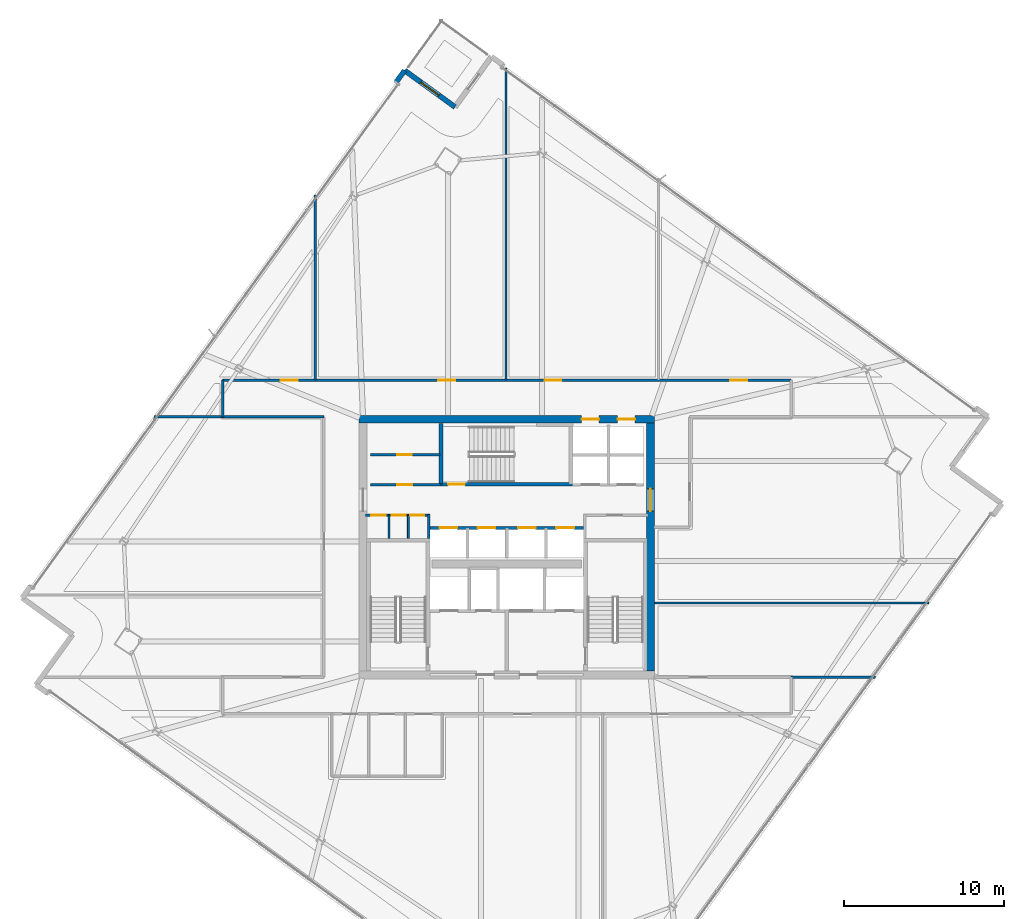
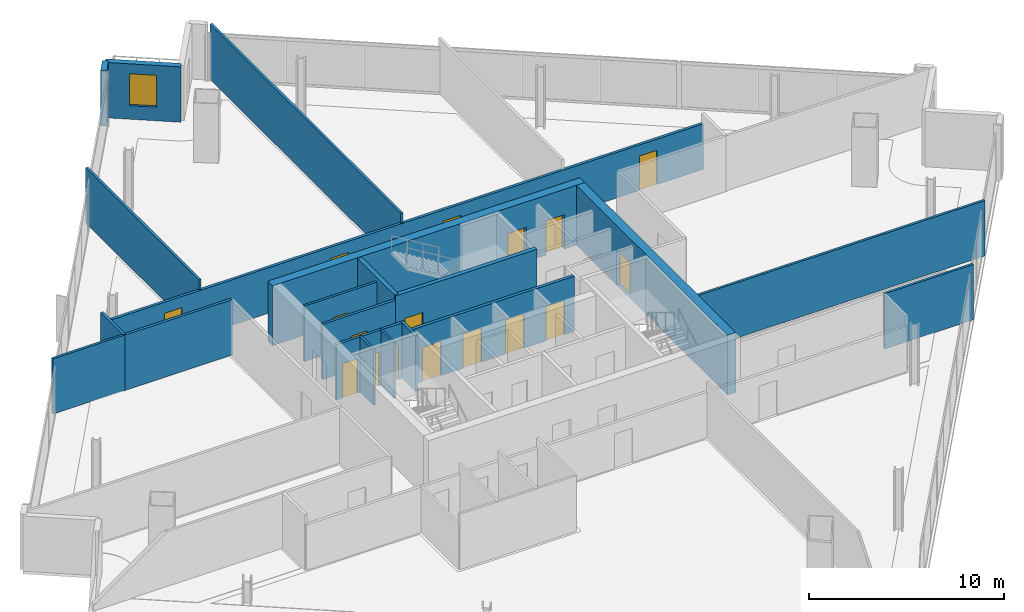
# One storey, part 23 of 29: 21 walls, 17 doors, 1 window, 18 openings.
"""IFC4 building model written with IfcOpenShell, lengths in metres."""

from ifc_helpers import new_model, si_unit, direction, frame, frame_2d, origin, place, context, subcontext, project, spatial, rectangle, extrude, material, layer, layer_set, type_object, element, fill, save


model = new_model("IFC4")

# Units and contexts
model_context = context("Model", 3, precision=1e-05, world=origin(), true_north=direction((0.0, 1.0)))
body_context = subcontext(model_context, "Body", "Model", "MODEL_VIEW")
ifc_project = project(units=[si_unit("LENGTHUNIT", "METRE"), si_unit("AREAUNIT", "SQUARE_METRE"), si_unit("VOLUMEUNIT", "CUBIC_METRE"), si_unit("PLANEANGLEUNIT", "RADIAN"), si_unit("MASSUNIT", "GRAM", prefix="KILO")], contexts=[model_context])

# Site, building, storey
site_placement = place(None, origin())
site = spatial("IfcSite", under=ifc_project, at=site_placement, CompositionType="ELEMENT")
building_placement = place(site_placement, origin())
building = spatial("IfcBuilding", under=site, at=building_placement, Name="Haldenkirk Collegiate Tower", CompositionType="ELEMENT")
storey_placement = place(building_placement, frame((0.0, 0.0, 209.699951171875)))
storey = spatial("IfcBuildingStorey", under=building, at=storey_placement, Name="L52", CompositionType="ELEMENT", Elevation=209.699951171875)

# Wall, openings, doors
ifc_material_1 = material(Name="Concrete f'c 55 MPa", Category="concrete")
ifc_layer_1 = layer(ifc_material_1, 0.5)
ifc_layer_set_1 = layer_set([ifc_layer_1], Name="Concrete f'c 55 MPa")
wall_type_1 = type_object("IfcWallType", Name="WL-CORE-500", PredefinedType="SHEAR", material=ifc_layer_set_1)
wall_1_placement = place(storey_placement, frame((26.75, 34.0, 0.0), z_axis=(0.0, 0.0, 1.0), x_axis=(1.0, 0.0, 0.0)))
wall_1 = element("IfcWall", 1, at=wall_1_placement, inside=storey, type_object=wall_type_1, Name="L52 central core shear wall N", PredefinedType="SHEAR", context=body_context, shape_type="SweptSolid", body=[
    extrude(rectangle(XDim=18.5, YDim=0.5, at=frame_2d((9.25, 0.0))), origin(), (0.0, 0.0, 1.0), 3.75),
])
opening_1_placement = place(wall_1_placement, frame((13.93505859375, 0.0, 0.0)))
opening_1 = element("IfcOpeningElement", 2, at=opening_1_placement, cuts=wall_1, Name="Opening LD-11", PredefinedType="OPENING", context=body_context, shape_type="SweptSolid", body=[
    extrude(rectangle(XDim=1.10009765625, YDim=2.14990234375, at=frame_2d((0.550048828125, 1.074951171875))), frame((0.0, 0.260009765625, 0.0), z_axis=(0.0, -1.0, 0.0), x_axis=(1.0, 0.0, 0.0)), (0.0, 0.0, 1.0), 0.52001953125),
])
opening_2_placement = place(wall_1_placement, frame((16.18505859375, 0.0, 0.0)))
opening_2 = element("IfcOpeningElement", 3, at=opening_2_placement, cuts=wall_1, Name="Opening LD-11", PredefinedType="OPENING", context=body_context, shape_type="SweptSolid", body=[
    extrude(rectangle(XDim=1.10009765625, YDim=2.14990234375, at=frame_2d((0.550048828125, 1.074951171875))), frame((0.0, 0.260009765625, 0.0), z_axis=(0.0, -1.0, 0.0), x_axis=(1.0, 0.0, 0.0)), (0.0, 0.0, 1.0), 0.52001953125),
])
ifc_material_2 = material(Name="Brushed architectural stainless steel", Category="steel")
ifc_layer_2 = layer(ifc_material_2, 0.06005859375)
ifc_layer_set_2 = layer_set([ifc_layer_2], Name="Brushed architectural stainless steel")
door_type_1 = type_object("IfcDoorType", Name="LD-PASS-1100", OperationType="NOTDEFINED", PredefinedType="DOOR", material=ifc_layer_set_2)
door_1_placement = place(opening_1_placement, origin())
door_1 = element("IfcDoor", 4, at=door_1_placement, inside=storey, type_object=door_type_1, Name="L52 Elevator PM3 sliding landing door", OperationType="SLIDING_TO_LEFT", OverallHeight=2.14990234375, OverallWidth=1.10009765625, PredefinedType="DOOR", context=body_context, shape_type="SweptSolid", body=[
    extrude(rectangle(XDim=1.10009765625, YDim=2.14990234375, at=frame_2d((0.550048828125, 1.074951171875))), frame((0.0, 0.02490234375, 0.0), z_axis=(0.0, -1.0, 0.0), x_axis=(1.0, 0.0, 0.0)), (0.0, 0.0, 1.0), 0.050048828125),
])
fill(opening_1, door_1)
door_2_placement = place(opening_2_placement, origin())
door_2 = element("IfcDoor", 5, at=door_2_placement, inside=storey, type_object=door_type_1, Name="L52 Elevator PM4 sliding landing door", OperationType="SLIDING_TO_LEFT", OverallHeight=2.14990234375, OverallWidth=1.10009765625, PredefinedType="DOOR", context=body_context, shape_type="SweptSolid", body=[
    extrude(rectangle(XDim=1.10009765625, YDim=2.14990234375, at=frame_2d((0.550048828125, 1.074951171875))), frame((0.0, 0.02490234375, 0.0), z_axis=(0.0, -1.0, 0.0), x_axis=(1.0, 0.0, 0.0)), (0.0, 0.0, 1.0), 0.050048828125),
])
fill(opening_2, door_2)

# Wall, opening, door
wall_2_placement = place(storey_placement, frame((45.0, 18.25, 0.0), z_axis=(0.0, 0.0, 1.0), x_axis=(0.0, 1.0, 0.0)))
wall_2 = element("IfcWall", 6, at=wall_2_placement, inside=storey, type_object=wall_type_1, Name="L52 central core shear wall E", PredefinedType="SHEAR", context=body_context, shape_type="SweptSolid", body=[
    extrude(rectangle(XDim=15.5, YDim=0.5, at=frame_2d((7.75, 0.0))), origin(), (0.0, 0.0, 1.0), 3.75),
])
opening_3_placement = place(wall_2_placement, frame((9.989990234375, 0.0, 0.0)))
opening_3 = element("IfcOpeningElement", 7, at=opening_3_placement, cuts=wall_2, Name="Opening D-03", PredefinedType="OPENING", context=body_context, shape_type="SweptSolid", body=[
    extrude(rectangle(XDim=1.39990234375, YDim=2.199951171875, at=frame_2d((0.699951171875, 1.10009765625))), frame((0.0, 0.260009765625, 0.0), z_axis=(0.0, -1.0, 0.0), x_axis=(1.0, 0.0, 0.0)), (0.0, 0.0, 1.0), 0.52001953125),
])
ifc_material_3 = material(Name="Galvanized fire-rated hollow steel door", Category="steel")
ifc_layer_3 = layer(ifc_material_3, 0.06005859375)
ifc_layer_set_3 = layer_set([ifc_layer_3], Name="Galvanized fire-rated hollow steel door")
door_type_2 = type_object("IfcDoorType", Name="DR-LOBBY-FD90-1400", OperationType="NOTDEFINED", PredefinedType="DOOR", material=ifc_layer_set_3)
door_3_placement = place(opening_3_placement, origin())
door_3 = element("IfcDoor", 8, at=door_3_placement, inside=storey, type_object=door_type_2, Name="L52 east lift lobby portal", OperationType="DOUBLE_DOOR_SINGLE_SWING", OverallHeight=2.199951171875, OverallWidth=1.39990234375, PredefinedType="DOOR", context=body_context, shape_type="SweptSolid", body=[
    extrude(rectangle(XDim=1.39990234375, YDim=2.199951171875, at=frame_2d((0.699951171875, 1.10009765625))), frame((0.0, 0.02490234375, 0.0), z_axis=(0.0, -1.0, 0.0), x_axis=(1.0, 0.0, 0.0)), (0.0, 0.0, 1.0), 0.050048828125),
])
fill(opening_3, door_3)

# Wall, opening, window
ifc_material_4 = material(Name="Precast concrete f'c 40 MPa", Category="concrete")
ifc_layer_4 = layer(ifc_material_4, 0.320068359375)
ifc_layer_set_4 = layer_set([ifc_layer_4], Name="Precast concrete f'c 40 MPa")
wall_type_2 = type_object("IfcWallType", Name="WL-EXT-TWR-320", PredefinedType="STANDARD", material=ifc_layer_set_4)
wall_3_placement = place(storey_placement, frame((29.60009765625, 55.841064453125, 0.0), z_axis=(0.0, 0.0, 1.0), x_axis=(0.809542016527, -0.587061941772, 0.0)))
wall_3 = element("IfcWall", 9, at=wall_3_placement, inside=storey, type_object=wall_type_2, Name="L52 bronze precast notch wall 06", PredefinedType="STANDARD", context=body_context, shape_type="SweptSolid", body=[
    extrude(rectangle(XDim=3.89990234375, YDim=0.320068359375, at=frame_2d((1.949951171875, 0.0))), origin(), (0.0, 0.0, 1.0), 3.469970703125),
])
opening_4_placement = place(wall_3_placement, frame((1.25, 0.0, 0.85009765625)))
opening_4 = element("IfcOpeningElement", 10, at=opening_4_placement, cuts=wall_3, Name="Opening W-06", PredefinedType="OPENING", context=body_context, shape_type="SweptSolid", body=[
    extrude(rectangle(XDim=1.39990234375, YDim=2.0, at=frame_2d((0.699951171875, 1.0))), frame((0.0, 0.169921875, 0.0), z_axis=(0.0, -1.0, 0.0), x_axis=(1.0, 0.0, 0.0)), (0.0, 0.0, 1.0), 0.340087890625),
])
ifc_material_5 = material(Name="Low-E argon triple insulating glass", Category="glass")
ifc_layer_5 = layer(ifc_material_5, 0.090087890625)
ifc_layer_set_5 = layer_set([ifc_layer_5], Name="Low-E argon triple insulating glass")
window_type = type_object("IfcWindowType", Name="WN-Z4-1400X2000", PartitioningType="SINGLE_PANEL", PredefinedType="WINDOW", material=ifc_layer_set_5)
window_placement = place(opening_4_placement, origin())
window = element("IfcWindow", 11, at=window_placement, inside=storey, type_object=window_type, Name="L52 precast-frame academic window 5", OverallHeight=2.0, OverallWidth=1.39990234375, PartitioningType="SINGLE_PANEL", PredefinedType="WINDOW", context=body_context, shape_type="SweptSolid", body=[
    extrude(rectangle(XDim=1.39990234375, YDim=2.0, at=frame_2d((0.699951171875, 1.0))), frame((0.0, 0.030029296875, 0.0), z_axis=(0.0, -1.0, 0.0), x_axis=(1.0, 0.0, 0.0)), (0.0, 0.0, 1.0), 0.06005859375),
])
fill(opening_4, window)

# Wall
wall_4_placement = place(storey_placement, frame((29.07177734375, 55.112548828125, 0.0), z_axis=(0.0, 0.0, 1.0), x_axis=(0.587074260177, 0.80953308335, 0.0)))
element("IfcWall", 12, at=wall_4_placement, inside=storey, type_object=wall_type_2, Name="L52 precast corner pier NR", PredefinedType="STANDARD", context=body_context, shape_type="SweptSolid", body=[
    extrude(rectangle(XDim=0.89990234375, YDim=0.320068359375, at=frame_2d((0.449951171875, 0.0))), origin(), (0.0, 0.0, 1.0), 3.469970703125),
])

# Wall, openings, doors
ifc_material_6 = material(Name="Acoustic fire-rated gypsum partition", Category="concrete")
ifc_layer_6 = layer(ifc_material_6, 0.159912109375)
ifc_layer_set_6 = layer_set([ifc_layer_6], Name="Acoustic fire-rated gypsum partition")
wall_type_3 = type_object("IfcWallType", Name="WL-INT-CORR-160", PredefinedType="PARTITIONING", material=ifc_layer_set_6)
wall_5_placement = place(storey_placement, frame((27.14990234375, 27.97998046875, 0.0), z_axis=(0.0, 0.0, 1.0), x_axis=(1.0, 0.0, 0.0)))
wall_5 = element("IfcWall", 13, at=wall_5_placement, inside=storey, type_object=wall_type_3, Name="L52 interior partition IW-L52-VCSW-N", PredefinedType="PARTITIONING", context=body_context, shape_type="SweptSolid", body=[
    extrude(rectangle(XDim=4.050048828125, YDim=0.159912109375, at=frame_2d((2.02490234375, 0.0))), origin(), (0.0, 0.0, 1.0), 3.469970703125),
])
opening_5_placement = place(wall_5_placement, frame((0.360107421875, 0.0, 0.0)))
opening_5 = element("IfcOpeningElement", 14, at=opening_5_placement, cuts=wall_5, Name="Opening D-11", PredefinedType="OPENING", context=body_context, shape_type="SweptSolid", body=[
    extrude(rectangle(XDim=0.89990234375, YDim=2.14990234375, at=frame_2d((0.449951171875, 1.074951171875))), frame((0.0, 0.08984375, 0.0), z_axis=(0.0, -1.0, 0.0), x_axis=(1.0, 0.0, 0.0)), (0.0, 0.0, 1.0), 0.179931640625),
])
opening_6_placement = place(wall_5_placement, frame((1.6298828125, 0.0, 0.0)))
opening_6 = element("IfcOpeningElement", 15, at=opening_6_placement, cuts=wall_5, Name="Opening D-11", PredefinedType="OPENING", context=body_context, shape_type="SweptSolid", body=[
    extrude(rectangle(XDim=0.89990234375, YDim=2.14990234375, at=frame_2d((0.449951171875, 1.074951171875))), frame((0.0, 0.08984375, 0.0), z_axis=(0.0, -1.0, 0.0), x_axis=(1.0, 0.0, 0.0)), (0.0, 0.0, 1.0), 0.179931640625),
])
opening_7_placement = place(wall_5_placement, frame((2.78759765625, 0.0, 0.0)))
opening_7 = element("IfcOpeningElement", 16, at=opening_7_placement, cuts=wall_5, Name="Opening D-11", PredefinedType="OPENING", context=body_context, shape_type="SweptSolid", body=[
    extrude(rectangle(XDim=0.89990234375, YDim=2.14990234375, at=frame_2d((0.449951171875, 1.074951171875))), frame((0.0, 0.08984375, 0.0), z_axis=(0.0, -1.0, 0.0), x_axis=(1.0, 0.0, 0.0)), (0.0, 0.0, 1.0), 0.179931640625),
])
ifc_material_7 = material(Name="Solid-core architectural oak fire door", Category="wood")
ifc_layer_7 = layer(ifc_material_7, 0.06005859375)
ifc_layer_set_7 = layer_set([ifc_layer_7], Name="Solid-core architectural oak fire door")
door_type_3 = type_object("IfcDoorType", Name="DR-INT-FD60-900", OperationType="NOTDEFINED", PredefinedType="DOOR", material=ifc_layer_set_7)
door_4_placement = place(opening_5_placement, origin())
door_4 = element("IfcDoor", 17, at=door_4_placement, inside=storey, type_object=door_type_3, Name="L52 core study booth door", OperationType="SINGLE_SWING_LEFT", OverallHeight=2.14990234375, OverallWidth=0.89990234375, PredefinedType="DOOR", context=body_context, shape_type="SweptSolid", body=[
    extrude(rectangle(XDim=0.89990234375, YDim=2.14990234375, at=frame_2d((0.449951171875, 1.074951171875))), frame((0.0, 0.02490234375, 0.0), z_axis=(0.0, -1.0, 0.0), x_axis=(1.0, 0.0, 0.0)), (0.0, 0.0, 1.0), 0.050048828125),
])
fill(opening_5, door_4)
door_5_placement = place(opening_6_placement, origin())
door_5 = element("IfcDoor", 18, at=door_5_placement, inside=storey, type_object=door_type_3, Name="L52 core cleaners door", OperationType="SINGLE_SWING_RIGHT", OverallHeight=2.14990234375, OverallWidth=0.89990234375, PredefinedType="DOOR", context=body_context, shape_type="SweptSolid", body=[
    extrude(rectangle(XDim=0.89990234375, YDim=2.14990234375, at=frame_2d((0.449951171875, 1.074951171875))), frame((0.0, 0.02490234375, 0.0), z_axis=(0.0, -1.0, 0.0), x_axis=(1.0, 0.0, 0.0)), (0.0, 0.0, 1.0), 0.050048828125),
])
fill(opening_6, door_5)
door_6_placement = place(opening_7_placement, origin())
door_6 = element("IfcDoor", 19, at=door_6_placement, inside=storey, type_object=door_type_3, Name="L52 core stationery door", OperationType="SINGLE_SWING_LEFT", OverallHeight=2.14990234375, OverallWidth=0.89990234375, PredefinedType="DOOR", context=body_context, shape_type="SweptSolid", body=[
    extrude(rectangle(XDim=0.89990234375, YDim=2.14990234375, at=frame_2d((0.449951171875, 1.074951171875))), frame((0.0, 0.02490234375, 0.0), z_axis=(0.0, -1.0, 0.0), x_axis=(1.0, 0.0, 0.0)), (0.0, 0.0, 1.0), 0.050048828125),
])
fill(opening_7, door_6)

# Wall
wall_6_placement = place(storey_placement, frame((31.1201171875, 26.5400390625, 0.0), z_axis=(0.0, 0.0, 1.0), x_axis=(0.0, 1.0, 0.0)))
element("IfcWall", 20, at=wall_6_placement, inside=storey, type_object=wall_type_3, Name="L52 interior partition IW-L52-VCSW-E", PredefinedType="PARTITIONING", context=body_context, shape_type="SweptSolid", body=[
    extrude(rectangle(XDim=1.510009765625, YDim=0.159912109375, at=frame_2d((0.7548828125, 0.0))), origin(), (0.0, 0.0, 1.0), 3.469970703125),
])

# Wall, opening, door
wall_7_placement = place(storey_placement, frame((27.449951171875, 29.89990234375, 0.0), z_axis=(0.0, 0.0, 1.0), x_axis=(1.0, 0.0, 0.0)))
wall_7 = element("IfcWall", 21, at=wall_7_placement, inside=storey, type_object=wall_type_3, Name="L52 interior partition IW-L52-PLS", PredefinedType="PARTITIONING", context=body_context, shape_type="SweptSolid", body=[
    extrude(rectangle(XDim=4.429931640625, YDim=0.159912109375, at=frame_2d((2.21484375, 0.0))), origin(), (0.0, 0.0, 1.0), 3.469970703125),
])
opening_8_placement = place(wall_7_placement, frame((1.675048828125, 0.0, 0.0)))
opening_8 = element("IfcOpeningElement", 22, at=opening_8_placement, cuts=wall_7, Name="Opening D-10", PredefinedType="OPENING", context=body_context, shape_type="SweptSolid", body=[
    extrude(rectangle(XDim=0.949951171875, YDim=2.14990234375, at=frame_2d((0.47509765625, 1.074951171875))), frame((0.0, 0.08984375, 0.0), z_axis=(0.0, -1.0, 0.0), x_axis=(1.0, 0.0, 0.0)), (0.0, 0.0, 1.0), 0.179931640625),
])
ifc_layer_8 = layer(ifc_material_7, 0.06005859375)
ifc_layer_set_8 = layer_set([ifc_layer_8], Name="Solid-core architectural oak fire door")
door_type_4 = type_object("IfcDoorType", Name="DR-INT-FD60-950", OperationType="NOTDEFINED", PredefinedType="DOOR", material=ifc_layer_set_8)
door_7_placement = place(opening_8_placement, origin())
door_7 = element("IfcDoor", 23, at=door_7_placement, inside=storey, type_object=door_type_4, Name="L52 consultation door", OperationType="SINGLE_SWING_LEFT", OverallHeight=2.14990234375, OverallWidth=0.949951171875, PredefinedType="DOOR", context=body_context, shape_type="SweptSolid", body=[
    extrude(rectangle(XDim=0.949951171875, YDim=2.14990234375, at=frame_2d((0.47509765625, 1.074951171875))), frame((0.0, 0.02490234375, 0.0), z_axis=(0.0, -1.0, 0.0), x_axis=(1.0, 0.0, 0.0)), (0.0, 0.0, 1.0), 0.050048828125),
])
fill(opening_8, door_7)

# Wall, openings, doors
wall_8_placement = place(storey_placement, frame((18.199951171875, 36.449951171875, 0.0), z_axis=(0.0, 0.0, 1.0), x_axis=(1.0, 0.0, 0.0)))
wall_8 = element("IfcWall", 24, at=wall_8_placement, inside=storey, type_object=wall_type_3, Name="L52 interior partition IW-L52-CN", PredefinedType="PARTITIONING", context=body_context, shape_type="SweptSolid", body=[
    extrude(rectangle(XDim=35.60009765625, YDim=0.159912109375, at=frame_2d((17.800048828125, 0.0))), origin(), (0.0, 0.0, 1.0), 2.84912109375),
])
opening_9_placement = place(wall_8_placement, frame((3.64501953125, 0.0, 0.0)))
opening_9 = element("IfcOpeningElement", 25, at=opening_9_placement, cuts=wall_8, Name="Opening D-09", PredefinedType="OPENING", context=body_context, shape_type="SweptSolid", body=[
    extrude(rectangle(XDim=1.050048828125, YDim=2.14990234375, at=frame_2d((0.52490234375, 1.074951171875))), frame((0.0, 0.08984375, 0.0), z_axis=(0.0, -1.0, 0.0), x_axis=(1.0, 0.0, 0.0)), (0.0, 0.0, 1.0), 0.179931640625),
])
opening_10_placement = place(wall_8_placement, frame((13.52099609375, 0.0, 0.0)))
opening_10 = element("IfcOpeningElement", 26, at=opening_10_placement, cuts=wall_8, Name="Opening D-09", PredefinedType="OPENING", context=body_context, shape_type="SweptSolid", body=[
    extrude(rectangle(XDim=1.050048828125, YDim=2.14990234375, at=frame_2d((0.52490234375, 1.074951171875))), frame((0.0, 0.08984375, 0.0), z_axis=(0.0, -1.0, 0.0), x_axis=(1.0, 0.0, 0.0)), (0.0, 0.0, 1.0), 0.179931640625),
])
opening_11_placement = place(wall_8_placement, frame((20.160888671875, 0.0, 0.0)))
opening_11 = element("IfcOpeningElement", 27, at=opening_11_placement, cuts=wall_8, Name="Opening D-09", PredefinedType="OPENING", context=body_context, shape_type="SweptSolid", body=[
    extrude(rectangle(XDim=1.050048828125, YDim=2.14990234375, at=frame_2d((0.52490234375, 1.074951171875))), frame((0.0, 0.08984375, 0.0), z_axis=(0.0, -1.0, 0.0), x_axis=(1.0, 0.0, 0.0)), (0.0, 0.0, 1.0), 0.179931640625),
])
opening_12_placement = place(wall_8_placement, frame((31.794921875, 0.0, 0.0)))
opening_12 = element("IfcOpeningElement", 28, at=opening_12_placement, cuts=wall_8, Name="Opening D-09", PredefinedType="OPENING", context=body_context, shape_type="SweptSolid", body=[
    extrude(rectangle(XDim=1.050048828125, YDim=2.14990234375, at=frame_2d((0.52490234375, 1.074951171875))), frame((0.0, 0.08984375, 0.0), z_axis=(0.0, -1.0, 0.0), x_axis=(1.0, 0.0, 0.0)), (0.0, 0.0, 1.0), 0.179931640625),
])
ifc_layer_9 = layer(ifc_material_7, 0.06005859375)
ifc_layer_set_9 = layer_set([ifc_layer_9], Name="Solid-core architectural oak fire door")
door_type_5 = type_object("IfcDoorType", Name="DR-INT-FD60-1050", OperationType="NOTDEFINED", PredefinedType="DOOR", material=ifc_layer_set_9)
door_8_placement = place(opening_9_placement, origin())
door_8 = element("IfcDoor", 29, at=door_8_placement, inside=storey, type_object=door_type_5, Name="L52 Treaty Archive Store 3 door", OperationType="SINGLE_SWING_RIGHT", OverallHeight=2.14990234375, OverallWidth=1.050048828125, PredefinedType="DOOR", context=body_context, shape_type="SweptSolid", body=[
    extrude(rectangle(XDim=1.050048828125, YDim=2.14990234375, at=frame_2d((0.52490234375, 1.074951171875))), frame((0.0, 0.02490234375, 0.0), z_axis=(0.0, -1.0, 0.0), x_axis=(1.0, 0.0, 0.0)), (0.0, 0.0, 1.0), 0.050048828125),
])
fill(opening_9, door_8)
door_9_placement = place(opening_10_placement, origin())
door_9 = element("IfcDoor", 30, at=door_9_placement, inside=storey, type_object=door_type_5, Name="L52 Student Reading Lounge 4 door", OperationType="SINGLE_SWING_LEFT", OverallHeight=2.14990234375, OverallWidth=1.050048828125, PredefinedType="DOOR", context=body_context, shape_type="SweptSolid", body=[
    extrude(rectangle(XDim=1.050048828125, YDim=2.14990234375, at=frame_2d((0.52490234375, 1.074951171875))), frame((0.0, 0.02490234375, 0.0), z_axis=(0.0, -1.0, 0.0), x_axis=(1.0, 0.0, 0.0)), (0.0, 0.0, 1.0), 0.050048828125),
])
fill(opening_10, door_9)
door_10_placement = place(opening_11_placement, origin())
door_10 = element("IfcDoor", 31, at=door_10_placement, inside=storey, type_object=door_type_5, Name="L52 Reading Commons Lounge 5 door", OperationType="SINGLE_SWING_RIGHT", OverallHeight=2.14990234375, OverallWidth=1.050048828125, PredefinedType="DOOR", context=body_context, shape_type="SweptSolid", body=[
    extrude(rectangle(XDim=1.050048828125, YDim=2.14990234375, at=frame_2d((0.52490234375, 1.074951171875))), frame((0.0, 0.02490234375, 0.0), z_axis=(0.0, -1.0, 0.0), x_axis=(1.0, 0.0, 0.0)), (0.0, 0.0, 1.0), 0.050048828125),
])
fill(opening_11, door_10)
door_11_placement = place(opening_12_placement, origin())
door_11 = element("IfcDoor", 32, at=door_11_placement, inside=storey, type_object=door_type_5, Name="L52 Periodical Reading Lounge 6 door", OperationType="SINGLE_SWING_LEFT", OverallHeight=2.14990234375, OverallWidth=1.050048828125, PredefinedType="DOOR", context=body_context, shape_type="SweptSolid", body=[
    extrude(rectangle(XDim=1.050048828125, YDim=2.14990234375, at=frame_2d((0.52490234375, 1.074951171875))), frame((0.0, 0.02490234375, 0.0), z_axis=(0.0, -1.0, 0.0), x_axis=(1.0, 0.0, 0.0)), (0.0, 0.0, 1.0), 0.050048828125),
])
fill(opening_12, door_11)

# Walls
wall_9_placement = place(storey_placement, frame((18.199951171875, 34.14990234375, 0.0), z_axis=(0.0, 0.0, 1.0), x_axis=(1.0, 0.0, 0.0)))
element("IfcWall", 33, at=wall_9_placement, inside=storey, type_object=wall_type_3, Name="L52 interior partition IW-L52-CNW", PredefinedType="PARTITIONING", context=body_context, shape_type="SweptSolid", body=[
    extrude(rectangle(XDim=6.35009765625, YDim=0.159912109375, at=frame_2d((3.175048828125, 0.0))), origin(), (0.0, 0.0, 1.0), 3.469970703125),
])
wall_10_placement = place(storey_placement, frame((18.199951171875, 34.14990234375, 0.0), z_axis=(0.0, 0.0, 1.0), x_axis=(0.0, 1.0, 0.0)))
element("IfcWall", 34, at=wall_10_placement, inside=storey, type_object=wall_type_3, Name="L52 interior partition IW-L52-CNL", PredefinedType="PARTITIONING", context=body_context, shape_type="SweptSolid", body=[
    extrude(rectangle(XDim=2.300048828125, YDim=0.159912109375, at=frame_2d((1.14990234375, 0.0))), origin(), (0.0, 0.0, 1.0), 3.469970703125),
])

# Wall, opening, door
ifc_layer_10 = layer(ifc_material_6, 0.139892578125)
ifc_layer_set_10 = layer_set([ifc_layer_10], Name="Acoustic fire-rated gypsum partition")
wall_type_4 = type_object("IfcWallType", Name="WL-INT-DIV-140", PredefinedType="PARTITIONING", material=ifc_layer_set_10)
wall_11_placement = place(storey_placement, frame((27.449951171875, 31.780029296875, 0.0), z_axis=(0.0, 0.0, 1.0), x_axis=(1.0, 0.0, 0.0)))
wall_11 = element("IfcWall", 35, at=wall_11_placement, inside=storey, type_object=wall_type_4, Name="L52 interior partition IW-L52-PLDIVH", PredefinedType="PARTITIONING", context=body_context, shape_type="SweptSolid", body=[
    extrude(rectangle(XDim=4.35009765625, YDim=0.139892578125, at=frame_2d((2.175048828125, 0.0))), origin(), (0.0, 0.0, 1.0), 3.469970703125),
])
opening_13_placement = place(wall_11_placement, frame((1.699951171875, 0.0, 0.0)))
opening_13 = element("IfcOpeningElement", 36, at=opening_13_placement, cuts=wall_11, Name="Opening D-13", PredefinedType="OPENING", context=body_context, shape_type="SweptSolid", body=[
    extrude(rectangle(XDim=0.89990234375, YDim=2.14990234375, at=frame_2d((0.449951171875, 1.074951171875))), frame((0.0, 0.079833984375, 0.0), z_axis=(0.0, -1.0, 0.0), x_axis=(1.0, 0.0, 0.0)), (0.0, 0.0, 1.0), 0.159912109375),
])
ifc_layer_11 = layer(ifc_material_7, 0.06005859375)
ifc_layer_set_11 = layer_set([ifc_layer_11], Name="Solid-core architectural oak fire door")
door_type_6 = type_object("IfcDoorType", Name="DR-INT-STD-900", OperationType="NOTDEFINED", PredefinedType="DOOR", material=ifc_layer_set_11)
door_12_placement = place(opening_13_placement, origin())
door_12 = element("IfcDoor", 37, at=door_12_placement, inside=storey, type_object=door_type_6, Name="L52 folio vault door", OperationType="SINGLE_SWING_RIGHT", OverallHeight=2.14990234375, OverallWidth=0.89990234375, PredefinedType="DOOR", context=body_context, shape_type="SweptSolid", body=[
    extrude(rectangle(XDim=0.89990234375, YDim=2.14990234375, at=frame_2d((0.449951171875, 1.074951171875))), frame((0.0, 0.02490234375, 0.0), z_axis=(0.0, -1.0, 0.0), x_axis=(1.0, 0.0, 0.0)), (0.0, 0.0, 1.0), 0.050048828125),
])
fill(opening_13, door_12)

# Walls
wall_12_placement = place(storey_placement, frame((13.9189453125, 34.14990234375, 0.0), z_axis=(0.0, 0.0, 1.0), x_axis=(1.0, 0.0, 0.0)))
element("IfcWall", 38, at=wall_12_placement, inside=storey, type_object=wall_type_4, Name="L52 interior partition IW-L52-BWN", PredefinedType="PARTITIONING", context=body_context, shape_type="SweptSolid", body=[
    extrude(rectangle(XDim=4.281005859375, YDim=0.139892578125, at=frame_2d((2.140625, 0.0))), origin(), (0.0, 0.0, 1.0), 3.469970703125),
])
wall_13_placement = place(storey_placement, frame((53.800048828125, 17.85009765625, 0.0), z_axis=(0.0, 0.0, 1.0), x_axis=(1.0, 0.0, 0.0)))
element("IfcWall", 39, at=wall_13_placement, inside=storey, type_object=wall_type_4, Name="L52 interior partition IW-L52-BES", PredefinedType="PARTITIONING", context=body_context, shape_type="SweptSolid", body=[
    extrude(rectangle(XDim=5.269287109375, YDim=0.139892578125, at=frame_2d((2.634765625, 0.0))), origin(), (0.0, 0.0, 1.0), 3.469970703125),
])
wall_14_placement = place(storey_placement, frame((24.0, 36.449951171875, 0.0), z_axis=(0.0, 0.0, 1.0), x_axis=(0.0, 1.0, 0.0)))
element("IfcWall", 40, at=wall_14_placement, inside=storey, type_object=wall_type_4, Name="L52 interior partition IW-L52-RN1", PredefinedType="PARTITIONING", context=body_context, shape_type="SweptSolid", body=[
    extrude(rectangle(XDim=11.600830078125, YDim=0.139892578125, at=frame_2d((5.80029296875, 0.0))), origin(), (0.0, 0.0, 1.0), 3.469970703125),
])
wall_15_placement = place(storey_placement, frame((35.949951171875, 36.449951171875, 0.0), z_axis=(0.0, 0.0, 1.0), x_axis=(0.0, 1.0, 0.0)))
element("IfcWall", 41, at=wall_15_placement, inside=storey, type_object=wall_type_4, Name="L52 interior partition IW-L52-RN2", PredefinedType="PARTITIONING", context=body_context, shape_type="SweptSolid", body=[
    extrude(rectangle(XDim=19.554443359375, YDim=0.139892578125, at=frame_2d((9.77734375, 0.0))), origin(), (0.0, 0.0, 1.0), 3.469970703125),
])
wall_16_placement = place(storey_placement, frame((45.25, 22.5, 0.0), z_axis=(0.0, 0.0, 1.0), x_axis=(1.0, 0.0, 0.0)))
element("IfcWall", 42, at=wall_16_placement, inside=storey, type_object=wall_type_4, Name="L52 interior partition IW-L52-RE1", PredefinedType="PARTITIONING", context=body_context, shape_type="SweptSolid", body=[
    extrude(rectangle(XDim=17.191650390625, YDim=0.139892578125, at=frame_2d((8.595703125, 0.0))), origin(), (0.0, 0.0, 1.0), 3.469970703125),
])

# Wall, openings, doors
ifc_material_8 = material(Name="Fire-rated gypsum shaftboard assembly", Category="concrete")
ifc_layer_12 = layer(ifc_material_8, 0.179931640625)
ifc_layer_set_12 = layer_set([ifc_layer_12], Name="Fire-rated gypsum shaftboard assembly")
wall_type_5 = type_object("IfcWallType", Name="WL-INT-SHAFT-180", PredefinedType="PARTITIONING", material=ifc_layer_set_12)
wall_17_placement = place(storey_placement, frame((31.199951171875, 27.199951171875, 0.0), z_axis=(0.0, 0.0, 1.0), x_axis=(1.0, 0.0, 0.0)))
wall_17 = element("IfcWall", 43, at=wall_17_placement, inside=storey, type_object=wall_type_5, Name="L52 interior partition IW-L52-PHN", PredefinedType="PARTITIONING", context=body_context, shape_type="SweptSolid", body=[
    extrude(rectangle(XDim=9.60009765625, YDim=0.179931640625, at=frame_2d((4.800048828125, 0.0))), origin(), (0.0, 0.0, 1.0), 3.469970703125),
])
opening_14_placement = place(wall_17_placement, frame((0.590087890625, 0.0, 0.0)))
opening_14 = element("IfcOpeningElement", 44, at=opening_14_placement, cuts=wall_17, Name="Opening LD-11", PredefinedType="OPENING", context=body_context, shape_type="SweptSolid", body=[
    extrude(rectangle(XDim=1.10009765625, YDim=2.14990234375, at=frame_2d((0.550048828125, 1.074951171875))), frame((0.0, 0.099853515625, 0.0), z_axis=(0.0, -1.0, 0.0), x_axis=(1.0, 0.0, 0.0)), (0.0, 0.0, 1.0), 0.199951171875),
])
opening_15_placement = place(wall_17_placement, frame((2.989990234375, 0.0, 0.0)))
opening_15 = element("IfcOpeningElement", 45, at=opening_15_placement, cuts=wall_17, Name="Opening LD-11", PredefinedType="OPENING", context=body_context, shape_type="SweptSolid", body=[
    extrude(rectangle(XDim=1.10009765625, YDim=2.14990234375, at=frame_2d((0.550048828125, 1.074951171875))), frame((0.0, 0.099853515625, 0.0), z_axis=(0.0, -1.0, 0.0), x_axis=(1.0, 0.0, 0.0)), (0.0, 0.0, 1.0), 0.199951171875),
])
opening_16_placement = place(wall_17_placement, frame((5.510009765625, 0.0, 0.0)))
opening_16 = element("IfcOpeningElement", 46, at=opening_16_placement, cuts=wall_17, Name="Opening LD-11", PredefinedType="OPENING", context=body_context, shape_type="SweptSolid", body=[
    extrude(rectangle(XDim=1.10009765625, YDim=2.14990234375, at=frame_2d((0.550048828125, 1.074951171875))), frame((0.0, 0.099853515625, 0.0), z_axis=(0.0, -1.0, 0.0), x_axis=(1.0, 0.0, 0.0)), (0.0, 0.0, 1.0), 0.199951171875),
])
opening_17_placement = place(wall_17_placement, frame((7.909912109375, 0.0, 0.0)))
opening_17 = element("IfcOpeningElement", 47, at=opening_17_placement, cuts=wall_17, Name="Opening LD-11", PredefinedType="OPENING", context=body_context, shape_type="SweptSolid", body=[
    extrude(rectangle(XDim=1.10009765625, YDim=2.14990234375, at=frame_2d((0.550048828125, 1.074951171875))), frame((0.0, 0.099853515625, 0.0), z_axis=(0.0, -1.0, 0.0), x_axis=(1.0, 0.0, 0.0)), (0.0, 0.0, 1.0), 0.199951171875),
])
door_13_placement = place(opening_14_placement, origin())
door_13 = element("IfcDoor", 48, at=door_13_placement, inside=storey, type_object=door_type_1, Name="L52 Elevator PH1 sliding landing door", OperationType="SLIDING_TO_LEFT", OverallHeight=2.14990234375, OverallWidth=1.10009765625, PredefinedType="DOOR", context=body_context, shape_type="SweptSolid", body=[
    extrude(rectangle(XDim=1.10009765625, YDim=2.14990234375, at=frame_2d((0.550048828125, 1.074951171875))), frame((0.0, 0.02490234375, 0.0), z_axis=(0.0, -1.0, 0.0), x_axis=(1.0, 0.0, 0.0)), (0.0, 0.0, 1.0), 0.050048828125),
])
fill(opening_14, door_13)
door_14_placement = place(opening_15_placement, origin())
door_14 = element("IfcDoor", 49, at=door_14_placement, inside=storey, type_object=door_type_1, Name="L52 Elevator PH2 sliding landing door", OperationType="SLIDING_TO_LEFT", OverallHeight=2.14990234375, OverallWidth=1.10009765625, PredefinedType="DOOR", context=body_context, shape_type="SweptSolid", body=[
    extrude(rectangle(XDim=1.10009765625, YDim=2.14990234375, at=frame_2d((0.550048828125, 1.074951171875))), frame((0.0, 0.02490234375, 0.0), z_axis=(0.0, -1.0, 0.0), x_axis=(1.0, 0.0, 0.0)), (0.0, 0.0, 1.0), 0.050048828125),
])
fill(opening_15, door_14)
door_15_placement = place(opening_16_placement, origin())
door_15 = element("IfcDoor", 50, at=door_15_placement, inside=storey, type_object=door_type_1, Name="L52 Elevator PH3 sliding landing door", OperationType="SLIDING_TO_LEFT", OverallHeight=2.14990234375, OverallWidth=1.10009765625, PredefinedType="DOOR", context=body_context, shape_type="SweptSolid", body=[
    extrude(rectangle(XDim=1.10009765625, YDim=2.14990234375, at=frame_2d((0.550048828125, 1.074951171875))), frame((0.0, 0.02490234375, 0.0), z_axis=(0.0, -1.0, 0.0), x_axis=(1.0, 0.0, 0.0)), (0.0, 0.0, 1.0), 0.050048828125),
])
fill(opening_16, door_15)
door_16_placement = place(opening_17_placement, origin())
door_16 = element("IfcDoor", 51, at=door_16_placement, inside=storey, type_object=door_type_1, Name="L52 Elevator PH4 sliding landing door", OperationType="SLIDING_TO_LEFT", OverallHeight=2.14990234375, OverallWidth=1.10009765625, PredefinedType="DOOR", context=body_context, shape_type="SweptSolid", body=[
    extrude(rectangle(XDim=1.10009765625, YDim=2.14990234375, at=frame_2d((0.550048828125, 1.074951171875))), frame((0.0, 0.02490234375, 0.0), z_axis=(0.0, -1.0, 0.0), x_axis=(1.0, 0.0, 0.0)), (0.0, 0.0, 1.0), 0.050048828125),
])
fill(opening_17, door_16)

# Walls
ifc_layer_13 = layer(ifc_material_6, 0.1201171875)
ifc_layer_set_13 = layer_set([ifc_layer_13], Name="Acoustic fire-rated gypsum partition")
wall_type_6 = type_object("IfcWallType", Name="WL-INT-WET-120", PredefinedType="PARTITIONING", material=ifc_layer_set_13)
for number, where, z_axis, x_axis, name in (
    (52, (28.6201171875, 26.5400390625, 0.0), (0.0, 0.0, 1.0), (0.0, 1.0, 0.0), "L52 interior partition IW-L52-VCSW-M1"),
    (53, (29.840087890625, 26.5400390625, 0.0), (0.0, 0.0, 1.0), (0.0, 1.0, 0.0), "L52 interior partition IW-L52-VCSW-M2"),
):
    element("IfcWall", number, at=place(storey_placement, frame(where, z_axis=z_axis, x_axis=x_axis)), inside=storey, type_object=wall_type_6, Name=name, PredefinedType="PARTITIONING", context=body_context, shape_type="SweptSolid", body=[
        extrude(rectangle(XDim=1.43994140625, YDim=0.1201171875, at=frame_2d((0.719970703125, 0.0))), origin(), (0.0, 0.0, 1.0), 3.469970703125),
    ])

# Wall, opening, door
ifc_layer_14 = layer(ifc_material_1, 0.239990234375)
ifc_layer_set_14 = layer_set([ifc_layer_14], Name="Concrete f'c 55 MPa")
wall_type_7 = type_object("IfcWallType", Name="WL-SHAFT-240", PredefinedType="SHEAR", material=ifc_layer_set_14)
wall_18_placement = place(storey_placement, frame((31.760009765625, 29.929931640625, 0.0), z_axis=(0.0, 0.0, 1.0), x_axis=(1.0, 0.0, 0.0)))
wall_18 = element("IfcWall", 54, at=wall_18_placement, inside=storey, type_object=wall_type_7, Name="L52 stair shaft shear wall SW-L52-ST3S", PredefinedType="SHEAR", context=body_context, shape_type="SweptSolid", body=[
    extrude(rectangle(XDim=8.3798828125, YDim=0.239990234375, at=frame_2d((4.18994140625, 0.0))), origin(), (0.0, 0.0, 1.0), 3.75),
])
opening_18_placement = place(wall_18_placement, frame((0.56494140625, 0.0, 0.0)))
opening_18 = element("IfcOpeningElement", 55, at=opening_18_placement, cuts=wall_18, Name="Opening D-01", PredefinedType="OPENING", context=body_context, shape_type="SweptSolid", body=[
    extrude(rectangle(XDim=1.050048828125, YDim=2.14990234375, at=frame_2d((0.52490234375, 1.074951171875))), frame((0.0, 0.1298828125, 0.0), z_axis=(0.0, -1.0, 0.0), x_axis=(1.0, 0.0, 0.0)), (0.0, 0.0, 1.0), 0.260009765625),
])
ifc_layer_15 = layer(ifc_material_3, 0.06005859375)
ifc_layer_set_15 = layer_set([ifc_layer_15], Name="Galvanized fire-rated hollow steel door")
door_type_7 = type_object("IfcDoorType", Name="DR-STAIR-FD90-1050", OperationType="NOTDEFINED", PredefinedType="DOOR", material=ifc_layer_set_15)
door_17_placement = place(opening_18_placement, origin())
door_17 = element("IfcDoor", 56, at=door_17_placement, inside=storey, type_object=door_type_7, Name="L52 lift lobby Stair 3 door", OperationType="SINGLE_SWING_LEFT", OverallHeight=2.14990234375, OverallWidth=1.050048828125, PredefinedType="DOOR", context=body_context, shape_type="SweptSolid", body=[
    extrude(rectangle(XDim=1.050048828125, YDim=2.14990234375, at=frame_2d((0.52490234375, 1.074951171875))), frame((0.0, 0.02490234375, 0.0), z_axis=(0.0, -1.0, 0.0), x_axis=(1.0, 0.0, 0.0)), (0.0, 0.0, 1.0), 0.050048828125),
])
fill(opening_18, door_17)

# Wall
wall_19_placement = place(storey_placement, frame((31.8798828125, 29.929931640625, 0.0), z_axis=(0.0, 0.0, 1.0), x_axis=(0.0, 1.0, 0.0)))
element("IfcWall", 57, at=wall_19_placement, inside=storey, type_object=wall_type_7, Name="L52 stair shaft shear wall SW-L52-ST3W", PredefinedType="SHEAR", context=body_context, shape_type="SweptSolid", body=[
    extrude(rectangle(XDim=3.7900390625, YDim=0.239990234375, at=frame_2d((1.89501953125, 0.0))), origin(), (0.0, 0.0, 1.0), 3.75),
])

save(model, "model.ifc")
